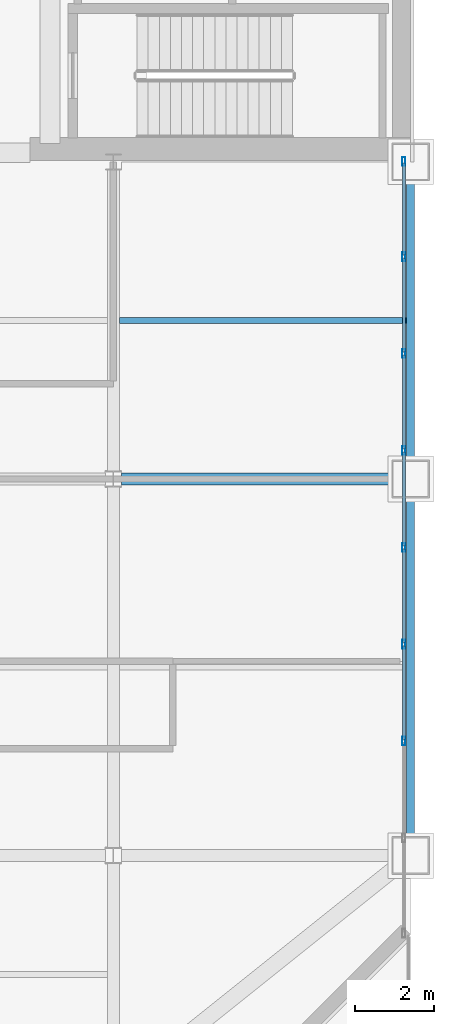
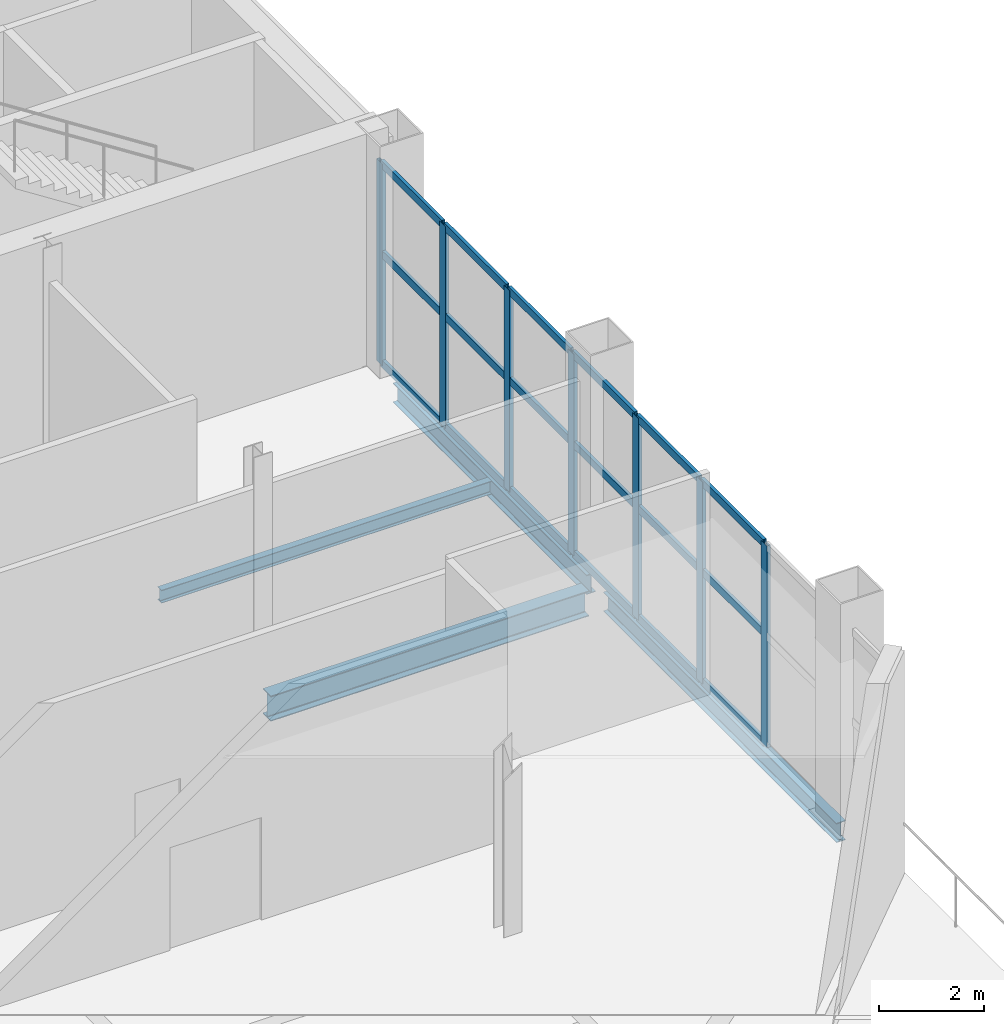
# One storey, part 12 of 21: 25 members, 4 beams, 1 element without a shape of its own.
"""IFC4 building model written with IfcOpenShell, lengths in metres."""

from ifc_helpers import new_model, si_unit, direction, frame, origin, origin_2d, place, context, subcontext, project, spatial, hollow_rectangle, i_section, extrude, material, layer, layer_set, material_profile, profile_set, type_object, element, aggregate, save


model = new_model("IFC4")

# Units and contexts
model_context = context("Model", 3, precision=1e-05, world=origin(), true_north=direction((0.0, 1.0)))
body_context = subcontext(model_context, "Body", "Model", "MODEL_VIEW")
ifc_project = project(units=[si_unit("LENGTHUNIT", "METRE"), si_unit("AREAUNIT", "SQUARE_METRE"), si_unit("VOLUMEUNIT", "CUBIC_METRE"), si_unit("PLANEANGLEUNIT", "RADIAN"), si_unit("MASSUNIT", "GRAM", prefix="KILO")], contexts=[model_context])

# Site, building, storey
site_placement = place(None, origin())
site = spatial("IfcSite", under=ifc_project, at=site_placement, CompositionType="ELEMENT")
building_placement = place(site_placement, origin())
building = spatial("IfcBuilding", under=site, at=building_placement, Name="Qianrong Seaharbour Tower", CompositionType="ELEMENT")
storey_placement = place(building_placement, frame((0.0, 0.0, 200.39990234375)))
storey = spatial("IfcBuildingStorey", under=building, at=storey_placement, Name="L48", CompositionType="ELEMENT", Elevation=200.39990234375)

# Beams
ifc_material_1 = material(Name="Structural steel SN490B", Category="steel")
ifc_material_profile_1 = material_profile(ifc_material_1, i_section(OverallWidth=0.300048828125, OverallDepth=0.587890625, WebThickness=0.011962890625, FlangeThickness=0.02001953125, FilletRadius=0.02392578125, at=origin_2d()), Name="H588x300x12x20")
ifc_profile_set_1 = profile_set([ifc_material_profile_1], Name="Structural steel SN490B")
beam_type_1 = type_object("IfcBeamType", Name="BM-G-588", PredefinedType="BEAM", material=ifc_profile_set_1)
beam_1_placement = place(storey_placement, frame((56.699951171875, 28.0, -0.593994140625), z_axis=(1.0, 0.0, 0.0), x_axis=(0.0, 1.0, 0.0)))
element("IfcBeam", 1, at=beam_1_placement, inside=storey, type_object=beam_type_1, Name="L48 Primary Girder GE G8-G9", PredefinedType="BEAM", context=body_context, shape_type="SweptSolid", body=[
    extrude(i_section(OverallWidth=0.300048828125, OverallDepth=0.587890625, WebThickness=0.011962890625, FlangeThickness=0.02001953125, FilletRadius=0.02392578125, at=origin_2d()), origin(), (0.0, 0.0, 1.0), 6.97998046875),
])
ifc_material_2 = material(Name="Structural steel SN400B", Category="steel")
ifc_material_profile_2 = material_profile(ifc_material_2, i_section(OverallWidth=0.14990234375, OverallDepth=0.300048828125, WebThickness=0.006591796875, FlangeThickness=0.009033203125, FilletRadius=0.012939453125, at=origin_2d()), Name="H300x150x6.5x9")
ifc_profile_set_2 = profile_set([ifc_material_profile_2], Name="Structural steel SN400B")
beam_type_2 = type_object("IfcBeamType", Name="BM-J-300", PredefinedType="JOIST", material=ifc_profile_set_2)
beam_2_placement = place(storey_placement, frame((56.64990234375, 32.0, -0.449951171875), z_axis=(1.0, 0.0, 0.0), x_axis=(0.0, 1.0, 0.0)))
element("IfcBeam", 2, at=beam_2_placement, inside=storey, type_object=beam_type_2, Name="L48 Composite Floor Joist G8-G9/GE-GF", PredefinedType="JOIST", context=body_context, shape_type="SweptSolid", body=[
    extrude(i_section(OverallWidth=0.14990234375, OverallDepth=0.300048828125, WebThickness=0.006591796875, FlangeThickness=0.009033203125, FilletRadius=0.012939453125, at=origin_2d()), origin(), (0.0, 0.0, 1.0), 7.25),
])
ifc_material_profile_3 = material_profile(ifc_material_2, i_section(OverallWidth=0.199951171875, OverallDepth=0.449951171875, WebThickness=0.009033203125, FlangeThickness=0.013916015625, FilletRadius=0.01806640625, at=origin_2d()), Name="H450x200x9x14")
ifc_profile_set_3 = profile_set([ifc_material_profile_3], Name="Structural steel SN400B")
beam_type_3 = type_object("IfcBeamType", Name="BM-SP-450", PredefinedType="SPANDREL", material=ifc_profile_set_3)
beam_3_placement = place(storey_placement, frame((64.0, 18.820068359375, -0.52490234375), z_axis=(0.0, 1.0, 0.0), x_axis=(-1.0, 0.0, 0.0)))
element("IfcBeam", 3, at=beam_3_placement, inside=storey, type_object=beam_type_3, Name="L48 Spandrel Girder G9 GD-GE", PredefinedType="SPANDREL", context=body_context, shape_type="SweptSolid", body=[
    extrude(i_section(OverallWidth=0.199951171875, OverallDepth=0.449951171875, WebThickness=0.009033203125, FlangeThickness=0.013916015625, FilletRadius=0.01806640625, at=origin_2d()), origin(), (0.0, 0.0, 1.0), 8.85986328125),
])
beam_4_placement = place(storey_placement, frame((64.0, 28.320068359375, -0.52490234375), z_axis=(0.0, 1.0, 0.0), x_axis=(-1.0, 0.0, 0.0)))
element("IfcBeam", 4, at=beam_4_placement, inside=storey, type_object=beam_type_3, Name="L48 Spandrel Girder G9 GE-GF", PredefinedType="SPANDREL", context=body_context, shape_type="SweptSolid", body=[
    extrude(i_section(OverallWidth=0.199951171875, OverallDepth=0.449951171875, WebThickness=0.009033203125, FlangeThickness=0.013916015625, FilletRadius=0.01806640625, at=origin_2d()), origin(), (0.0, 0.0, 1.0), 7.35986328125),
])

# Curtain wall, members
ifc_material_3 = material(Name="Anodised aluminium 6063-T6 and laminated low-e glass", Category="aluminium")
ifc_layer = layer(ifc_material_3, 0.2099609375)
ifc_layer_set = layer_set([ifc_layer], Name="Anodised aluminium 6063-T6 and laminated low-e glass")
curtain_wall_type = type_object("IfcCurtainWallType", Name="CW-SYS-2", PredefinedType="NOTDEFINED", material=ifc_layer_set)
curtain_wall_placement = place(storey_placement, origin())
curtain_wall = element("IfcCurtainWall", 5, at=curtain_wall_placement, inside=storey, type_object=curtain_wall_type, Name="L48 Sky-Lobby Feature Curtain Wall EAST_WING", PredefinedType="NOTDEFINED")
ifc_material_4 = material(Name="Extruded aluminium 6063-T6", Category="aluminium")
ifc_material_profile_4 = material_profile(ifc_material_4, hollow_rectangle(XDim=0.080078125, YDim=0.219970703125, WallThickness=0.0048828125, at=origin_2d()), Name="ALU-MUL-220x80x5")
ifc_profile_set_4 = profile_set([ifc_material_profile_4], Name="Extruded aluminium 6063-T6")
member_type_1 = type_object("IfcMemberType", Name="CW-MUL-220", PredefinedType="MULLION", material=ifc_profile_set_4)
member_1_placement = place(storey_placement, frame((63.830078125, 36.010009765625, 0.0), z_axis=(0.0, 0.0, 1.0), x_axis=(1.0, 0.0, 0.0)))
member_1 = element("IfcMember", 6, at=member_1_placement, type_object=member_type_1, Name="CW-2 mullion 1", PredefinedType="MULLION", context=body_context, shape_type="SweptSolid", body=[
    extrude(hollow_rectangle(XDim=0.080078125, YDim=0.219970703125, WallThickness=0.0048828125, at=origin_2d()), origin(), (0.0, 0.0, 1.0), 4.68505859375),
])
member_2_placement = place(storey_placement, frame((63.830078125, 33.606201171875, 0.0), z_axis=(0.0, 0.0, 1.0), x_axis=(1.0, 0.0, 0.0)))
member_2 = element("IfcMember", 7, at=member_2_placement, type_object=member_type_1, Name="CW-2 mullion 2", PredefinedType="MULLION", context=body_context, shape_type="SweptSolid", body=[
    extrude(hollow_rectangle(XDim=0.080078125, YDim=0.219970703125, WallThickness=0.0048828125, at=origin_2d()), origin(), (0.0, 0.0, 1.0), 4.68505859375),
])
member_3_placement = place(storey_placement, frame((63.830078125, 31.16259765625, 0.0), z_axis=(0.0, 0.0, 1.0), x_axis=(1.0, 0.0, 0.0)))
member_3 = element("IfcMember", 8, at=member_3_placement, type_object=member_type_1, Name="CW-2 mullion 3", PredefinedType="MULLION", context=body_context, shape_type="SweptSolid", body=[
    extrude(hollow_rectangle(XDim=0.080078125, YDim=0.219970703125, WallThickness=0.0048828125, at=origin_2d()), origin(), (0.0, 0.0, 1.0), 4.68505859375),
])
member_4_placement = place(storey_placement, frame((63.830078125, 28.71875, 0.0), z_axis=(0.0, 0.0, 1.0), x_axis=(1.0, 0.0, 0.0)))
member_4 = element("IfcMember", 9, at=member_4_placement, type_object=member_type_1, Name="CW-2 mullion 4", PredefinedType="MULLION", context=body_context, shape_type="SweptSolid", body=[
    extrude(hollow_rectangle(XDim=0.080078125, YDim=0.219970703125, WallThickness=0.0048828125, at=origin_2d()), origin(), (0.0, 0.0, 1.0), 4.68505859375),
])
member_5_placement = place(storey_placement, frame((63.830078125, 26.27490234375, 0.0), z_axis=(0.0, 0.0, 1.0), x_axis=(1.0, 0.0, 0.0)))
member_5 = element("IfcMember", 10, at=member_5_placement, type_object=member_type_1, Name="CW-2 mullion 5", PredefinedType="MULLION", context=body_context, shape_type="SweptSolid", body=[
    extrude(hollow_rectangle(XDim=0.080078125, YDim=0.219970703125, WallThickness=0.0048828125, at=origin_2d()), origin(), (0.0, 0.0, 1.0), 4.68505859375),
])
member_6_placement = place(storey_placement, frame((63.830078125, 23.831298828125, 0.0), z_axis=(0.0, 0.0, 1.0), x_axis=(1.0, 0.0, 0.0)))
member_6 = element("IfcMember", 11, at=member_6_placement, type_object=member_type_1, Name="CW-2 mullion 6", PredefinedType="MULLION", context=body_context, shape_type="SweptSolid", body=[
    extrude(hollow_rectangle(XDim=0.080078125, YDim=0.219970703125, WallThickness=0.0048828125, at=origin_2d()), origin(), (0.0, 0.0, 1.0), 4.68505859375),
])
member_7_placement = place(storey_placement, frame((63.830078125, 21.387451171875, 0.0), z_axis=(0.0, 0.0, 1.0), x_axis=(1.0, 0.0, 0.0)))
member_7 = element("IfcMember", 12, at=member_7_placement, type_object=member_type_1, Name="CW-2 mullion 7", PredefinedType="MULLION", context=body_context, shape_type="SweptSolid", body=[
    extrude(hollow_rectangle(XDim=0.080078125, YDim=0.219970703125, WallThickness=0.0048828125, at=origin_2d()), origin(), (0.0, 0.0, 1.0), 4.68505859375),
])
ifc_material_profile_5 = material_profile(ifc_material_4, hollow_rectangle(XDim=0.070068359375, YDim=0.179931640625, WallThickness=0.00390625, at=origin_2d()), Name="ALU-TRN-180x70x4")
ifc_profile_set_5 = profile_set([ifc_material_profile_5], Name="Extruded aluminium 6063-T6")
member_type_2 = type_object("IfcMemberType", Name="CW-TRN-180", PredefinedType="USERDEFINED", material=ifc_profile_set_5)
member_8_placement = place(storey_placement, frame((63.830078125, 35.969970703125, 0.03515625), z_axis=(0.0, -1.0, 0.0), x_axis=(1.0, 0.0, 0.0)))
member_8 = element("IfcMember", 13, at=member_8_placement, type_object=member_type_2, Name="CW-2 transom 1.1", ObjectType="TRANSOM", PredefinedType="USERDEFINED", context=body_context, shape_type="SweptSolid", body=[
    extrude(hollow_rectangle(XDim=0.070068359375, YDim=0.179931640625, WallThickness=0.00390625, at=origin_2d()), origin(), (0.0, 0.0, 1.0), 2.32373046875),
])
member_9_placement = place(storey_placement, frame((63.830078125, 35.969970703125, 2.576904296875), z_axis=(0.0, -1.0, 0.0), x_axis=(1.0, 0.0, 0.0)))
member_9 = element("IfcMember", 14, at=member_9_placement, type_object=member_type_2, Name="CW-2 transom 1.2", ObjectType="TRANSOM", PredefinedType="USERDEFINED", context=body_context, shape_type="SweptSolid", body=[
    extrude(hollow_rectangle(XDim=0.070068359375, YDim=0.179931640625, WallThickness=0.00390625, at=origin_2d()), origin(), (0.0, 0.0, 1.0), 2.32373046875),
])
member_10_placement = place(storey_placement, frame((63.830078125, 35.969970703125, 4.650146484375), z_axis=(0.0, -1.0, 0.0), x_axis=(1.0, 0.0, 0.0)))
member_10 = element("IfcMember", 15, at=member_10_placement, type_object=member_type_2, Name="CW-2 transom 1.3", ObjectType="TRANSOM", PredefinedType="USERDEFINED", context=body_context, shape_type="SweptSolid", body=[
    extrude(hollow_rectangle(XDim=0.070068359375, YDim=0.179931640625, WallThickness=0.00390625, at=origin_2d()), origin(), (0.0, 0.0, 1.0), 2.32373046875),
])
member_11_placement = place(storey_placement, frame((63.830078125, 33.566162109375, 0.03515625), z_axis=(0.0, -1.0, 0.0), x_axis=(1.0, 0.0, 0.0)))
member_11 = element("IfcMember", 16, at=member_11_placement, type_object=member_type_2, Name="CW-2 transom 2.1", ObjectType="TRANSOM", PredefinedType="USERDEFINED", context=body_context, shape_type="SweptSolid", body=[
    extrude(hollow_rectangle(XDim=0.070068359375, YDim=0.179931640625, WallThickness=0.00390625, at=origin_2d()), origin(), (0.0, 0.0, 1.0), 2.36376953125),
])
member_12_placement = place(storey_placement, frame((63.830078125, 33.566162109375, 2.576904296875), z_axis=(0.0, -1.0, 0.0), x_axis=(1.0, 0.0, 0.0)))
member_12 = element("IfcMember", 17, at=member_12_placement, type_object=member_type_2, Name="CW-2 transom 2.2", ObjectType="TRANSOM", PredefinedType="USERDEFINED", context=body_context, shape_type="SweptSolid", body=[
    extrude(hollow_rectangle(XDim=0.070068359375, YDim=0.179931640625, WallThickness=0.00390625, at=origin_2d()), origin(), (0.0, 0.0, 1.0), 2.36376953125),
])
member_13_placement = place(storey_placement, frame((63.830078125, 33.566162109375, 4.650146484375), z_axis=(0.0, -1.0, 0.0), x_axis=(1.0, 0.0, 0.0)))
member_13 = element("IfcMember", 18, at=member_13_placement, type_object=member_type_2, Name="CW-2 transom 2.3", ObjectType="TRANSOM", PredefinedType="USERDEFINED", context=body_context, shape_type="SweptSolid", body=[
    extrude(hollow_rectangle(XDim=0.070068359375, YDim=0.179931640625, WallThickness=0.00390625, at=origin_2d()), origin(), (0.0, 0.0, 1.0), 2.36376953125),
])
member_14_placement = place(storey_placement, frame((63.830078125, 31.12255859375, 0.03515625), z_axis=(0.0, -1.0, 0.0), x_axis=(1.0, 0.0, 0.0)))
member_14 = element("IfcMember", 19, at=member_14_placement, type_object=member_type_2, Name="CW-2 transom 3.1", ObjectType="TRANSOM", PredefinedType="USERDEFINED", context=body_context, shape_type="SweptSolid", body=[
    extrude(hollow_rectangle(XDim=0.070068359375, YDim=0.179931640625, WallThickness=0.00390625, at=origin_2d()), origin(), (0.0, 0.0, 1.0), 2.36376953125),
])
member_15_placement = place(storey_placement, frame((63.830078125, 31.12255859375, 2.576904296875), z_axis=(0.0, -1.0, 0.0), x_axis=(1.0, 0.0, 0.0)))
member_15 = element("IfcMember", 20, at=member_15_placement, type_object=member_type_2, Name="CW-2 transom 3.2", ObjectType="TRANSOM", PredefinedType="USERDEFINED", context=body_context, shape_type="SweptSolid", body=[
    extrude(hollow_rectangle(XDim=0.070068359375, YDim=0.179931640625, WallThickness=0.00390625, at=origin_2d()), origin(), (0.0, 0.0, 1.0), 2.36376953125),
])
member_16_placement = place(storey_placement, frame((63.830078125, 31.12255859375, 4.650146484375), z_axis=(0.0, -1.0, 0.0), x_axis=(1.0, 0.0, 0.0)))
member_16 = element("IfcMember", 21, at=member_16_placement, type_object=member_type_2, Name="CW-2 transom 3.3", ObjectType="TRANSOM", PredefinedType="USERDEFINED", context=body_context, shape_type="SweptSolid", body=[
    extrude(hollow_rectangle(XDim=0.070068359375, YDim=0.179931640625, WallThickness=0.00390625, at=origin_2d()), origin(), (0.0, 0.0, 1.0), 2.36376953125),
])
member_17_placement = place(storey_placement, frame((63.830078125, 28.6787109375, 0.03515625), z_axis=(0.0, -1.0, 0.0), x_axis=(1.0, 0.0, 0.0)))
member_17 = element("IfcMember", 22, at=member_17_placement, type_object=member_type_2, Name="CW-2 transom 4.1", ObjectType="TRANSOM", PredefinedType="USERDEFINED", context=body_context, shape_type="SweptSolid", body=[
    extrude(hollow_rectangle(XDim=0.070068359375, YDim=0.179931640625, WallThickness=0.00390625, at=origin_2d()), origin(), (0.0, 0.0, 1.0), 2.36376953125),
])
member_18_placement = place(storey_placement, frame((63.830078125, 28.6787109375, 2.576904296875), z_axis=(0.0, -1.0, 0.0), x_axis=(1.0, 0.0, 0.0)))
member_18 = element("IfcMember", 23, at=member_18_placement, type_object=member_type_2, Name="CW-2 transom 4.2", ObjectType="TRANSOM", PredefinedType="USERDEFINED", context=body_context, shape_type="SweptSolid", body=[
    extrude(hollow_rectangle(XDim=0.070068359375, YDim=0.179931640625, WallThickness=0.00390625, at=origin_2d()), origin(), (0.0, 0.0, 1.0), 2.36376953125),
])
member_19_placement = place(storey_placement, frame((63.830078125, 28.6787109375, 4.650146484375), z_axis=(0.0, -1.0, 0.0), x_axis=(1.0, 0.0, 0.0)))
member_19 = element("IfcMember", 24, at=member_19_placement, type_object=member_type_2, Name="CW-2 transom 4.3", ObjectType="TRANSOM", PredefinedType="USERDEFINED", context=body_context, shape_type="SweptSolid", body=[
    extrude(hollow_rectangle(XDim=0.070068359375, YDim=0.179931640625, WallThickness=0.00390625, at=origin_2d()), origin(), (0.0, 0.0, 1.0), 2.36376953125),
])
member_20_placement = place(storey_placement, frame((63.830078125, 26.235107421875, 0.03515625), z_axis=(0.0, -1.0, 0.0), x_axis=(1.0, 0.0, 0.0)))
member_20 = element("IfcMember", 25, at=member_20_placement, type_object=member_type_2, Name="CW-2 transom 5.1", ObjectType="TRANSOM", PredefinedType="USERDEFINED", context=body_context, shape_type="SweptSolid", body=[
    extrude(hollow_rectangle(XDim=0.070068359375, YDim=0.179931640625, WallThickness=0.00390625, at=origin_2d()), origin(), (0.0, 0.0, 1.0), 2.36376953125),
])
member_21_placement = place(storey_placement, frame((63.830078125, 26.235107421875, 2.576904296875), z_axis=(0.0, -1.0, 0.0), x_axis=(1.0, 0.0, 0.0)))
member_21 = element("IfcMember", 26, at=member_21_placement, type_object=member_type_2, Name="CW-2 transom 5.2", ObjectType="TRANSOM", PredefinedType="USERDEFINED", context=body_context, shape_type="SweptSolid", body=[
    extrude(hollow_rectangle(XDim=0.070068359375, YDim=0.179931640625, WallThickness=0.00390625, at=origin_2d()), origin(), (0.0, 0.0, 1.0), 2.36376953125),
])
member_22_placement = place(storey_placement, frame((63.830078125, 26.235107421875, 4.650146484375), z_axis=(0.0, -1.0, 0.0), x_axis=(1.0, 0.0, 0.0)))
member_22 = element("IfcMember", 27, at=member_22_placement, type_object=member_type_2, Name="CW-2 transom 5.3", ObjectType="TRANSOM", PredefinedType="USERDEFINED", context=body_context, shape_type="SweptSolid", body=[
    extrude(hollow_rectangle(XDim=0.070068359375, YDim=0.179931640625, WallThickness=0.00390625, at=origin_2d()), origin(), (0.0, 0.0, 1.0), 2.36376953125),
])
member_23_placement = place(storey_placement, frame((63.830078125, 23.791259765625, 0.03515625), z_axis=(0.0, -1.0, 0.0), x_axis=(1.0, 0.0, 0.0)))
member_23 = element("IfcMember", 28, at=member_23_placement, type_object=member_type_2, Name="CW-2 transom 6.1", ObjectType="TRANSOM", PredefinedType="USERDEFINED", context=body_context, shape_type="SweptSolid", body=[
    extrude(hollow_rectangle(XDim=0.070068359375, YDim=0.179931640625, WallThickness=0.00390625, at=origin_2d()), origin(), (0.0, 0.0, 1.0), 2.36376953125),
])
member_24_placement = place(storey_placement, frame((63.830078125, 23.791259765625, 2.576904296875), z_axis=(0.0, -1.0, 0.0), x_axis=(1.0, 0.0, 0.0)))
member_24 = element("IfcMember", 29, at=member_24_placement, type_object=member_type_2, Name="CW-2 transom 6.2", ObjectType="TRANSOM", PredefinedType="USERDEFINED", context=body_context, shape_type="SweptSolid", body=[
    extrude(hollow_rectangle(XDim=0.070068359375, YDim=0.179931640625, WallThickness=0.00390625, at=origin_2d()), origin(), (0.0, 0.0, 1.0), 2.36376953125),
])
member_25_placement = place(storey_placement, frame((63.830078125, 23.791259765625, 4.650146484375), z_axis=(0.0, -1.0, 0.0), x_axis=(1.0, 0.0, 0.0)))
member_25 = element("IfcMember", 30, at=member_25_placement, type_object=member_type_2, Name="CW-2 transom 6.3", ObjectType="TRANSOM", PredefinedType="USERDEFINED", context=body_context, shape_type="SweptSolid", body=[
    extrude(hollow_rectangle(XDim=0.070068359375, YDim=0.179931640625, WallThickness=0.00390625, at=origin_2d()), origin(), (0.0, 0.0, 1.0), 2.36376953125),
])
aggregate(curtain_wall, [member_1, member_2, member_3, member_4, member_5, member_6, member_7, member_8, member_9, member_10, member_11, member_12, member_13, member_14, member_15, member_16, member_17, member_18, member_19, member_20, member_21, member_22, member_23, member_24, member_25])

save(model, "model.ifc")
